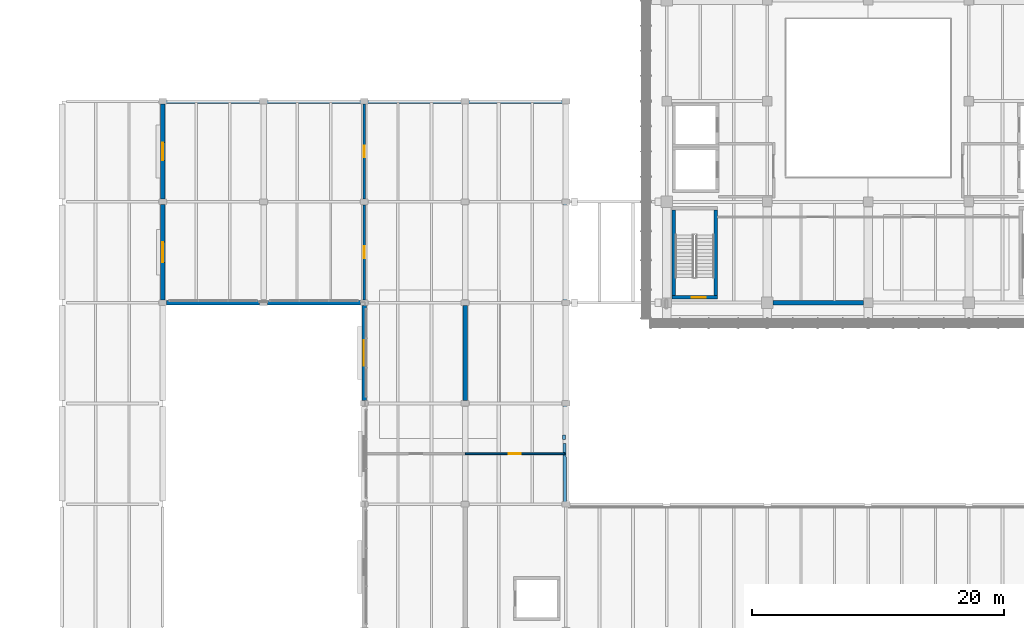
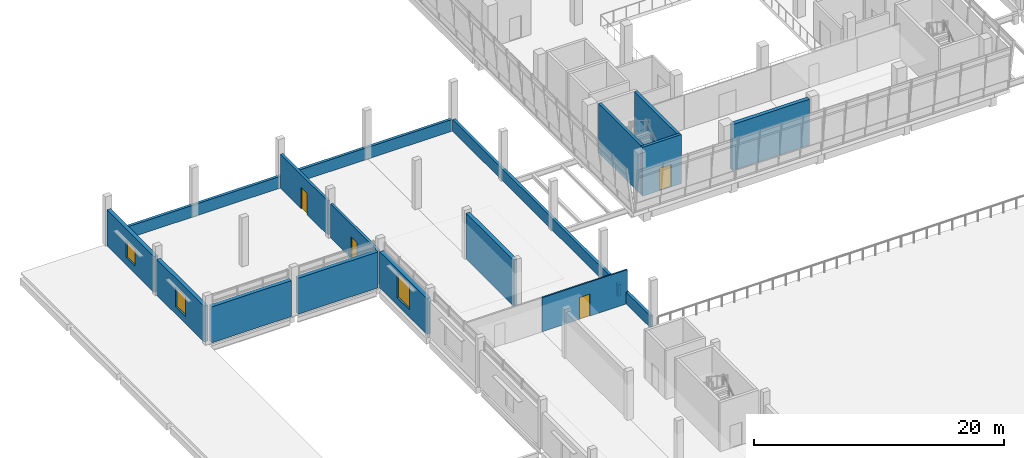
# One storey, part 31 of 52: 17 walls, 4 doors, 3 windows, 7 openings.
"""IFC4 building model written with IfcOpenShell, lengths in metres."""

from ifc_helpers import new_model, si_unit, direction, frame, frame_2d, origin, place, context, subcontext, project, spatial, rectangle, extrude, material, layer, layer_set, type_object, element, fill, save


model = new_model("IFC4")

# Units and contexts
model_context = context("Model", 3, precision=1e-05, world=origin(), true_north=direction((0.0, 1.0)))
body_context = subcontext(model_context, "Body", "Model", "MODEL_VIEW")
ifc_project = project(units=[si_unit("LENGTHUNIT", "METRE"), si_unit("AREAUNIT", "SQUARE_METRE"), si_unit("VOLUMEUNIT", "CUBIC_METRE"), si_unit("PLANEANGLEUNIT", "RADIAN"), si_unit("MASSUNIT", "GRAM", prefix="KILO")], contexts=[model_context])

# Site, building, storey
site_placement = place(None, origin())
site = spatial("IfcSite", under=ifc_project, at=site_placement, CompositionType="ELEMENT")
building_placement = place(site_placement, origin())
building = spatial("IfcBuilding", under=site, at=building_placement, Name="Pecanmere Concourse Central Library", CompositionType="ELEMENT")
storey_placement = place(building_placement, frame((0.0, 0.0, 10.5)))
storey = spatial("IfcBuildingStorey", under=building, at=storey_placement, Name="L03", CompositionType="ELEMENT", Elevation=10.5)

# Wall, opening, window
ifc_material_1 = material(Name="Texas cream limestone ashlar masonry", Category="masonry")
ifc_layer_1 = layer(ifc_material_1, 0.35009765625, Name="EW_LIME_350")
ifc_layer_set_1 = layer_set([ifc_layer_1], Name="Texas cream limestone ashlar masonry")
wall_type_1 = type_object("IfcWallType", Name="EW_LIME_350", PredefinedType="STANDARD", material=ifc_layer_set_1)
wall_1_placement = place(storey_placement, frame((48.0, 89.784912109375, 0.0), z_axis=(0.0, 0.0, 1.0), x_axis=(0.0, -1.0, 0.0)))
wall_1 = element("IfcWall", 1, at=wall_1_placement, inside=storey, type_object=wall_type_1, Name="Limestone Facade Wall L03-0166", PredefinedType="STANDARD", context=body_context, shape_type="SweptSolid", body=[
    extrude(rectangle(XDim=7.56982421875, YDim=0.35009765625, at=frame_2d((3.784912109375, 0.0))), origin(), (0.0, 0.0, 1.0), 3.52001953125),
])
opening_1_placement = place(wall_1_placement, frame((2.784912109375, 0.0, 0.719970703125)))
opening_1 = element("IfcOpeningElement", 2, at=opening_1_placement, cuts=wall_1, Name="Opening WN-03", PredefinedType="OPENING", context=body_context, shape_type="SweptSolid", body=[
    extrude(rectangle(XDim=2.0, YDim=2.39990234375, at=frame_2d((1.0, 1.199951171875))), frame((0.0, 0.18701171875, 0.0), z_axis=(0.0, -1.0, 0.0), x_axis=(1.0, 0.0, 0.0)), (0.0, 0.0, 1.0), 0.3740234375),
])
ifc_material_2 = material(Name="Low-iron clear insulated glazing", Category="glass")
window_type_1 = type_object("IfcWindowType", Name="WIN_2000x2400", PartitioningType="SINGLE_PANEL", PredefinedType="WINDOW", material=ifc_material_2)
window_1_placement = place(opening_1_placement, origin())
window_1 = element("IfcWindow", 3, at=window_1_placement, inside=storey, type_object=window_type_1, Name="WN-142", OverallHeight=2.39990234375, OverallWidth=2.0, PartitioningType="SINGLE_PANEL", PredefinedType="WINDOW", context=body_context, shape_type="SweptSolid", body=[
    extrude(rectangle(XDim=2.0, YDim=2.39990234375, at=frame_2d((1.0, 1.199951171875))), frame((0.0, 0.030029296875, 0.0), z_axis=(0.0, -1.0, 0.0), x_axis=(1.0, 0.0, 0.0)), (0.0, 0.0, 1.0), 0.06005859375),
])
fill(opening_1, window_1)

wall_2_placement = place(storey_placement, frame((32.0, 97.784912109375, 0.0), z_axis=(0.0, 0.0, 1.0), x_axis=(0.0, -1.0, 0.0)))
wall_2 = element("IfcWall", 4, at=wall_2_placement, inside=storey, type_object=wall_type_1, Name="Limestone Facade Wall L03-0168", PredefinedType="STANDARD", context=body_context, shape_type="SweptSolid", body=[
    extrude(rectangle(XDim=7.56982421875, YDim=0.35009765625, at=frame_2d((3.784912109375, 0.0))), origin(), (0.0, 0.0, 1.0), 3.52001953125),
])
opening_2_placement = place(wall_2_placement, frame((2.985107421875, 0.0, 0.719970703125)))
opening_2 = element("IfcOpeningElement", 5, at=opening_2_placement, cuts=wall_2, Name="Opening WN-07", PredefinedType="OPENING", context=body_context, shape_type="SweptSolid", body=[
    extrude(rectangle(XDim=1.60009765625, YDim=1.949951171875, at=frame_2d((0.800048828125, 0.97509765625))), frame((0.0, 0.18701171875, 0.0), z_axis=(0.0, -1.0, 0.0), x_axis=(1.0, 0.0, 0.0)), (0.0, 0.0, 1.0), 0.3740234375),
])
ifc_material_3 = material(Name="Low-iron clear insulated glazing", Category="glass")
window_type_2 = type_object("IfcWindowType", Name="WIN_1600x1950", PartitioningType="SINGLE_PANEL", PredefinedType="WINDOW", material=ifc_material_3)
window_2_placement = place(opening_2_placement, origin())
window_2 = element("IfcWindow", 6, at=window_2_placement, inside=storey, type_object=window_type_2, Name="WN-144", OverallHeight=1.949951171875, OverallWidth=1.60009765625, PartitioningType="SINGLE_PANEL", PredefinedType="WINDOW", context=body_context, shape_type="SweptSolid", body=[
    extrude(rectangle(XDim=1.60009765625, YDim=1.949951171875, at=frame_2d((0.800048828125, 0.97509765625))), frame((0.0, 0.030029296875, 0.0), z_axis=(0.0, -1.0, 0.0), x_axis=(1.0, 0.0, 0.0)), (0.0, 0.0, 1.0), 0.06005859375),
])
fill(opening_2, window_2)

wall_3_placement = place(storey_placement, frame((32.0, 105.784912109375, 0.0), z_axis=(0.0, 0.0, 1.0), x_axis=(0.0, -1.0, 0.0)))
wall_3 = element("IfcWall", 7, at=wall_3_placement, inside=storey, type_object=wall_type_1, Name="Limestone Facade Wall L03-0170", PredefinedType="STANDARD", context=body_context, shape_type="SweptSolid", body=[
    extrude(rectangle(XDim=7.56982421875, YDim=0.35009765625, at=frame_2d((3.784912109375, 0.0))), origin(), (0.0, 0.0, 1.0), 3.52001953125),
])
opening_3_placement = place(wall_3_placement, frame((3.0849609375, 0.0, 0.719970703125)))
opening_3 = element("IfcOpeningElement", 8, at=opening_3_placement, cuts=wall_3, Name="Opening WN-11", PredefinedType="OPENING", context=body_context, shape_type="SweptSolid", body=[
    extrude(rectangle(XDim=1.39990234375, YDim=1.699951171875, at=frame_2d((0.699951171875, 0.85009765625))), frame((0.0, 0.18701171875, 0.0), z_axis=(0.0, -1.0, 0.0), x_axis=(1.0, 0.0, 0.0)), (0.0, 0.0, 1.0), 0.3740234375),
])
ifc_material_4 = material(Name="Low-iron clear insulated glazing", Category="glass")
window_type_3 = type_object("IfcWindowType", Name="WIN_1400x1700", PartitioningType="SINGLE_PANEL", PredefinedType="WINDOW", material=ifc_material_4)
window_3_placement = place(opening_3_placement, origin())
window_3 = element("IfcWindow", 9, at=window_3_placement, inside=storey, type_object=window_type_3, Name="WN-146", OverallHeight=1.699951171875, OverallWidth=1.39990234375, PartitioningType="SINGLE_PANEL", PredefinedType="WINDOW", context=body_context, shape_type="SweptSolid", body=[
    extrude(rectangle(XDim=1.39990234375, YDim=1.699951171875, at=frame_2d((0.699951171875, 0.85009765625))), frame((0.0, 0.030029296875, 0.0), z_axis=(0.0, -1.0, 0.0), x_axis=(1.0, 0.0, 0.0)), (0.0, 0.0, 1.0), 0.06005859375),
])
fill(opening_3, window_3)

# Walls
for number, where, z_axis, x_axis, name in (
    (10, (32.304931640625, 90.0, 0.0), (0.0, 0.0, 1.0), (1.0, 0.0, 0.0), "Limestone Facade Wall L03-0173"),
    (11, (40.304931640625, 90.0, 0.0), (0.0, 0.0, 1.0), (1.0, 0.0, 0.0), "Limestone Facade Wall L03-0174"),
):
    element("IfcWall", number, at=place(storey_placement, frame(where, z_axis=z_axis, x_axis=x_axis)), inside=storey, type_object=wall_type_1, Name=name, PredefinedType="STANDARD", context=body_context, shape_type="SweptSolid", body=[
        extrude(rectangle(XDim=7.39013671875, YDim=0.35009765625, at=frame_2d((3.695068359375, 0.0))), origin(), (0.0, 0.0, 1.0), 3.52001953125),
    ])

# Wall, opening, door
ifc_material_5 = material(Name="Fire-rated gypsum board on acoustic steel stud", Category="steel")
ifc_layer_2 = layer(ifc_material_5, 0.135009765625, Name="IW_PART_135")
ifc_layer_set_2 = layer_set([ifc_layer_2], Name="Fire-rated gypsum board on acoustic steel stud")
wall_type_2 = type_object("IfcWallType", Name="IW_PART_135", PredefinedType="PARTITIONING", material=ifc_layer_set_2)
wall_4_placement = place(storey_placement, frame((56.02001953125, 78.0, 0.0), z_axis=(0.0, 0.0, 1.0), x_axis=(1.0, 0.0, 0.0)))
wall_4 = element("IfcWall", 12, at=wall_4_placement, inside=storey, type_object=wall_type_2, Name="Interior Partition L03-0179", PredefinedType="PARTITIONING", context=body_context, shape_type="SweptSolid", body=[
    extrude(rectangle(XDim=7.8798828125, YDim=0.135009765625, at=frame_2d((3.93994140625, 0.0))), origin(), (0.0, 0.0, 1.0), 3.330078125),
])
opening_4_placement = place(wall_4_placement, frame((3.465087890625, 0.0, 0.0)))
opening_4 = element("IfcOpeningElement", 13, at=opening_4_placement, cuts=wall_4, Name="Opening DT-05", PredefinedType="OPENING", context=body_context, shape_type="SweptSolid", body=[
    extrude(rectangle(XDim=0.949951171875, YDim=2.14990234375, at=frame_2d((0.47509765625, 1.074951171875))), frame((0.0, 0.07958984375, 0.0), z_axis=(0.0, -1.0, 0.0), x_axis=(1.0, 0.0, 0.0)), (0.0, 0.0, 1.0), 0.158935546875),
])
ifc_material_6 = material(Name="Solid white oak architectural joinery")
door_type_1 = type_object("IfcDoorType", Name="DT-05", OperationType="SINGLE_SWING_LEFT", PredefinedType="DOOR", material=ifc_material_6)
door_1_placement = place(opening_4_placement, frame((0.949951171875, 0.0, 0.0), z_axis=(0.0, 0.0, 1.0), x_axis=(-1.0, 0.0, 0.0)))
door_1 = element("IfcDoor", 14, at=door_1_placement, inside=storey, type_object=door_type_1, Name="D-209", OperationType="SINGLE_SWING_LEFT", OverallHeight=2.14990234375, OverallWidth=0.949951171875, PredefinedType="DOOR", context=body_context, shape_type="SweptSolid", body=[
    extrude(rectangle(XDim=0.949951171875, YDim=2.14990234375, at=frame_2d((0.47509765625, 1.074951171875))), frame((0.0, 0.02490234375, 0.0), z_axis=(0.0, -1.0, 0.0), x_axis=(1.0, 0.0, 0.0)), (0.0, 0.0, 1.0), 0.050048828125),
])
fill(opening_4, door_1)

ifc_material_7 = material(Name="Concrete masonry unit ASTM C90", Category="masonry")
ifc_layer_3 = layer(ifc_material_7, 0.22509765625, Name="IW_PLUMB_225")
ifc_layer_set_3 = layer_set([ifc_layer_3], Name="Concrete masonry unit ASTM C90")
wall_type_3 = type_object("IfcWallType", Name="IW_PLUMB_225", PredefinedType="PARTITIONING", material=ifc_layer_set_3)
wall_5_placement = place(storey_placement, frame((48.0, 90.22998046875, 0.0), z_axis=(0.0, 0.0, 1.0), x_axis=(0.0, 1.0, 0.0)))
wall_5 = element("IfcWall", 15, at=wall_5_placement, inside=storey, type_object=wall_type_3, Name="Interior Partition L03-0182", PredefinedType="PARTITIONING", context=body_context, shape_type="SweptSolid", body=[
    extrude(rectangle(XDim=7.5400390625, YDim=0.22509765625, at=frame_2d((3.77001953125, 0.0))), origin(), (0.0, 0.0, 1.0), 3.330078125),
])
opening_5_placement = place(wall_5_placement, frame((3.31005859375, 0.0, 0.0)))
opening_5 = element("IfcOpeningElement", 16, at=opening_5_placement, cuts=wall_5, Name="Opening DT-08", PredefinedType="OPENING", context=body_context, shape_type="SweptSolid", body=[
    extrude(rectangle(XDim=0.919921875, YDim=2.10009765625, at=frame_2d((0.4599609375, 1.050048828125))), frame((0.0, 0.12451171875, 0.0), z_axis=(0.0, -1.0, 0.0), x_axis=(1.0, 0.0, 0.0)), (0.0, 0.0, 1.0), 0.2490234375),
])
ifc_material_8 = material(Name="Solid white oak architectural joinery")
door_type_2 = type_object("IfcDoorType", Name="DT-08", OperationType="SINGLE_SWING_RIGHT", PredefinedType="DOOR", material=ifc_material_8)
door_2_placement = place(opening_5_placement, origin())
door_2 = element("IfcDoor", 17, at=door_2_placement, inside=storey, type_object=door_type_2, Name="D-212", OperationType="SINGLE_SWING_RIGHT", OverallHeight=2.10009765625, OverallWidth=0.919921875, PredefinedType="DOOR", context=body_context, shape_type="SweptSolid", body=[
    extrude(rectangle(XDim=0.919921875, YDim=2.10009765625, at=frame_2d((0.4599609375, 1.050048828125))), frame((0.0, 0.02490234375, 0.0), z_axis=(0.0, -1.0, 0.0), x_axis=(1.0, 0.0, 0.0)), (0.0, 0.0, 1.0), 0.050048828125),
])
fill(opening_5, door_2)

wall_6_placement = place(storey_placement, frame((48.0, 98.22998046875, 0.0), z_axis=(0.0, 0.0, 1.0), x_axis=(0.0, 1.0, 0.0)))
wall_6 = element("IfcWall", 18, at=wall_6_placement, inside=storey, type_object=wall_type_3, Name="Interior Partition L03-0183", PredefinedType="PARTITIONING", context=body_context, shape_type="SweptSolid", body=[
    extrude(rectangle(XDim=7.5400390625, YDim=0.22509765625, at=frame_2d((3.77001953125, 0.0))), origin(), (0.0, 0.0, 1.0), 3.330078125),
])
opening_6_placement = place(wall_6_placement, frame((3.31005859375, 0.0, 0.0)))
opening_6 = element("IfcOpeningElement", 19, at=opening_6_placement, cuts=wall_6, Name="Opening DT-07", PredefinedType="OPENING", context=body_context, shape_type="SweptSolid", body=[
    extrude(rectangle(XDim=0.919921875, YDim=2.10009765625, at=frame_2d((0.4599609375, 1.050048828125))), frame((0.0, 0.12451171875, 0.0), z_axis=(0.0, -1.0, 0.0), x_axis=(1.0, 0.0, 0.0)), (0.0, 0.0, 1.0), 0.2490234375),
])
ifc_material_9 = material(Name="Solid white oak architectural joinery")
door_type_3 = type_object("IfcDoorType", Name="DT-07", OperationType="SINGLE_SWING_LEFT", PredefinedType="DOOR", material=ifc_material_9)
door_3_placement = place(opening_6_placement, frame((0.919921875, 0.0, 0.0), z_axis=(0.0, 0.0, 1.0), x_axis=(-1.0, 0.0, 0.0)))
door_3 = element("IfcDoor", 20, at=door_3_placement, inside=storey, type_object=door_type_3, Name="D-213", OperationType="SINGLE_SWING_LEFT", OverallHeight=2.10009765625, OverallWidth=0.919921875, PredefinedType="DOOR", context=body_context, shape_type="SweptSolid", body=[
    extrude(rectangle(XDim=0.919921875, YDim=2.10009765625, at=frame_2d((0.4599609375, 1.050048828125))), frame((0.0, 0.02490234375, 0.0), z_axis=(0.0, -1.0, 0.0), x_axis=(1.0, 0.0, 0.0)), (0.0, 0.0, 1.0), 0.050048828125),
])
fill(opening_6, door_3)

# Walls
ifc_material_10 = material(Name="Texas cream limestone ashlar masonry", Category="masonry")
ifc_layer_4 = layer(ifc_material_10, 0.25, Name="PW_PARA_250")
ifc_layer_set_4 = layer_set([ifc_layer_4], Name="Texas cream limestone ashlar masonry")
wall_type_4 = type_object("IfcWallType", Name="PW_PARA_250", PredefinedType="PARAPET", material=ifc_layer_set_4)
wall_7_placement = place(storey_placement, frame((32.080078125, 105.9296875, 0.0), z_axis=(0.0, 0.0, 1.0), x_axis=(0.99999999997, 7.696807e-06, 0.0)))
element("IfcWall", 21, at=wall_7_placement, inside=storey, type_object=wall_type_4, Name="Step-Back Parapet Wall L03-115", PredefinedType="PARAPET", context=body_context, shape_type="SweptSolid", body=[
    extrude(rectangle(XDim=31.7197265625, YDim=0.25, at=frame_2d((15.85986328125, 0.0))), origin(), (0.0, 0.0, 1.0), 1.14990234375),
])
wall_8_placement = place(storey_placement, frame((63.9296875, 105.800048828125, 0.0), z_axis=(0.0, 0.0, 1.0), x_axis=(9.390024e-06, -0.999999999956, 0.0)))
element("IfcWall", 22, at=wall_8_placement, inside=storey, type_object=wall_type_4, Name="Step-Back Parapet Wall L03-116", PredefinedType="PARAPET", context=body_context, shape_type="SweptSolid", body=[
    extrude(rectangle(XDim=26.0, YDim=0.25, at=frame_2d((13.0, 0.0))), origin(), (0.0, 0.0, 1.0), 1.14990234375),
])
wall_9_placement = place(storey_placement, frame((63.857666015625, 79.497802734375, 0.0), z_axis=(0.0, 0.0, 1.0), x_axis=(-0.014723972638, -0.999891596439, 0.0)))
element("IfcWall", 23, at=wall_9_placement, inside=storey, type_object=wall_type_4, Name="Step-Back Parapet Wall L03-117", PredefinedType="PARAPET", context=body_context, shape_type="SweptSolid", body=[
    extrude(rectangle(XDim=0.36474609375, YDim=0.25, at=frame_2d((0.182373046875, 0.0))), origin(), (0.0, 0.0, 1.0), 1.14990234375),
])
wall_10_placement = place(storey_placement, frame((63.900146484375, 78.80615234375, 0.0), z_axis=(0.0, 0.0, 1.0), x_axis=(0.006314784586, -0.999980061549, 0.0)))
element("IfcWall", 24, at=wall_10_placement, inside=storey, type_object=wall_type_4, Name="Step-Back Parapet Wall L03-118", PredefinedType="PARAPET", context=body_context, shape_type="SweptSolid", body=[
    extrude(rectangle(XDim=4.677978515625, YDim=0.25, at=frame_2d((2.3388671875, 0.0))), origin(), (0.0, 0.0, 1.0), 1.14990234375),
])
ifc_material_11 = material(Name="Concrete C40/50", Category="concrete")
ifc_layer_5 = layer(ifc_material_11, 0.35009765625, Name="WALL_SHR_350")
ifc_layer_set_5 = layer_set([ifc_layer_5], Name="Concrete C40/50")
wall_type_5 = type_object("IfcWallType", Name="WALL_SHR_350", PredefinedType="SHEAR", material=ifc_layer_set_5)
wall_11_placement = place(storey_placement, frame((56.0, 82.219970703125, 0.0), z_axis=(0.0, 0.0, 1.0), x_axis=(0.0, 1.0, 0.0)))
element("IfcWall", 25, at=wall_11_placement, inside=storey, type_object=wall_type_5, Name="Lateral Shear Wall L03-022", PredefinedType="SHEAR", context=body_context, shape_type="SweptSolid", body=[
    extrude(rectangle(XDim=7.56005859375, YDim=0.35009765625, at=frame_2d((3.780029296875, 0.0))), origin(), (0.0, 0.0, 1.0), 4.47998046875),
])
wall_12_placement = place(storey_placement, frame((80.4599609375, 90.0, 0.0), z_axis=(0.0, 0.0, 1.0), x_axis=(1.0, 0.0, 0.0)))
element("IfcWall", 26, at=wall_12_placement, inside=storey, type_object=wall_type_5, Name="Lateral Shear Wall L03-028", PredefinedType="SHEAR", context=body_context, shape_type="SweptSolid", body=[
    extrude(rectangle(XDim=7.1650390625, YDim=0.35009765625, at=frame_2d((3.58251953125, 0.0))), origin(), (0.0, 0.0, 1.0), 4.47998046875),
])

# Wall, opening, door
ifc_material_12 = material(Name="Concrete C40/50", Category="concrete")
ifc_layer_6 = layer(ifc_material_12, 0.260009765625, Name="WALL_SLD_260")
ifc_layer_set_6 = layer_set([ifc_layer_6], Name="Concrete C40/50")
wall_type_6 = type_object("IfcWallType", Name="WALL_SLD_260", PredefinedType="SOLIDWALL", material=ifc_layer_set_6)
wall_13_placement = place(storey_placement, frame((72.43994140625, 90.419921875, 0.0), z_axis=(0.0, 0.0, 1.0), x_axis=(1.0, 0.0, 0.0)))
wall_13 = element("IfcWall", 27, at=wall_13_placement, inside=storey, type_object=wall_type_6, Name="Core C1 South Wall L03", PredefinedType="SOLIDWALL", context=body_context, shape_type="SweptSolid", body=[
    extrude(rectangle(XDim=3.580078125, YDim=0.260009765625, at=frame_2d((1.7900390625, 0.0))), origin(), (0.0, 0.0, 1.0), 4.800048828125),
])
opening_7_placement = place(wall_13_placement, frame((1.56005859375, 0.0, 0.0)))
opening_7 = element("IfcOpeningElement", 28, at=opening_7_placement, cuts=wall_13, Name="Opening FD-01", PredefinedType="OPENING", context=body_context, shape_type="SweptSolid", body=[
    extrude(rectangle(XDim=1.10009765625, YDim=2.199951171875, at=frame_2d((0.550048828125, 1.10009765625))), frame((0.0, 0.14208984375, 0.0), z_axis=(0.0, -1.0, 0.0), x_axis=(1.0, 0.0, 0.0)), (0.0, 0.0, 1.0), 0.283935546875),
])
ifc_material_13 = material(Name="Painted architectural steel ASTM A36", Category="steel")
door_type_4 = type_object("IfcDoorType", Name="FD-01", OperationType="SINGLE_SWING_LEFT", PredefinedType="DOOR", material=ifc_material_13)
door_4_placement = place(opening_7_placement, origin())
door_4 = element("IfcDoor", 29, at=door_4_placement, inside=storey, type_object=door_type_4, Name="D-004", OperationType="SINGLE_SWING_LEFT", OverallHeight=2.199951171875, OverallWidth=1.10009765625, PredefinedType="DOOR", context=body_context, shape_type="SweptSolid", body=[
    extrude(rectangle(XDim=1.10009765625, YDim=2.199951171875, at=frame_2d((0.550048828125, 1.10009765625))), frame((0.0, 0.02490234375, 0.0), z_axis=(0.0, -1.0, 0.0), x_axis=(1.0, 0.0, 0.0)), (0.0, 0.0, 1.0), 0.050048828125),
])
fill(opening_7, door_4)

# Walls
for number, where, z_axis, x_axis, name in (
    (30, (72.570068359375, 90.550048828125, 0.0), (0.0, 0.0, 1.0), (0.0, 1.0, 0.0), "Core C1 W Wall L03"),
    (31, (75.889892578125, 90.550048828125, 0.0), (0.0, 0.0, 1.0), (0.0, 1.0, 0.0), "Core C1 E Wall L03"),
):
    element("IfcWall", number, at=place(storey_placement, frame(where, z_axis=z_axis, x_axis=x_axis)), inside=storey, type_object=wall_type_6, Name=name, PredefinedType="SOLIDWALL", context=body_context, shape_type="SweptSolid", body=[
        extrude(rectangle(XDim=6.820068359375, YDim=0.260009765625, at=frame_2d((3.41015625, 0.0))), origin(), (0.0, 0.0, 1.0), 4.800048828125),
    ])

save(model, "model.ifc")
